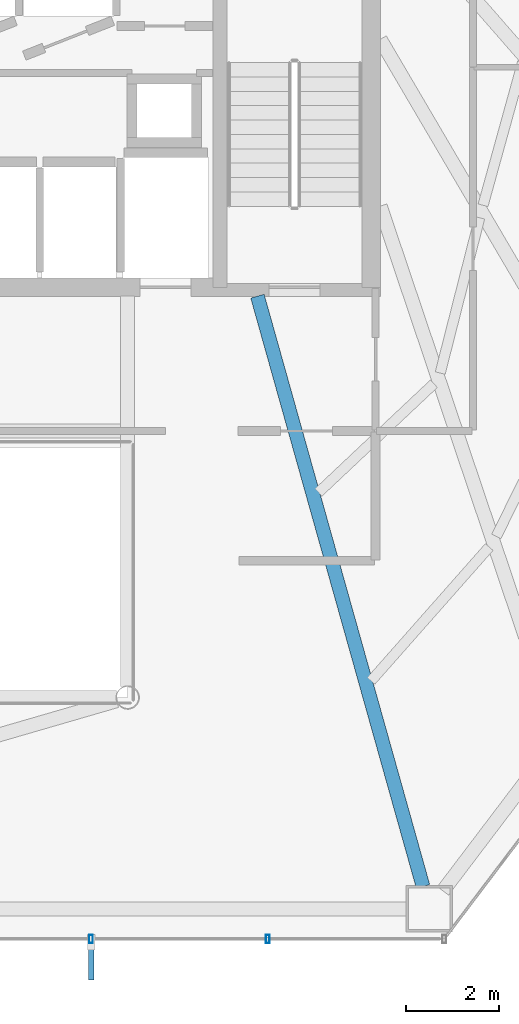
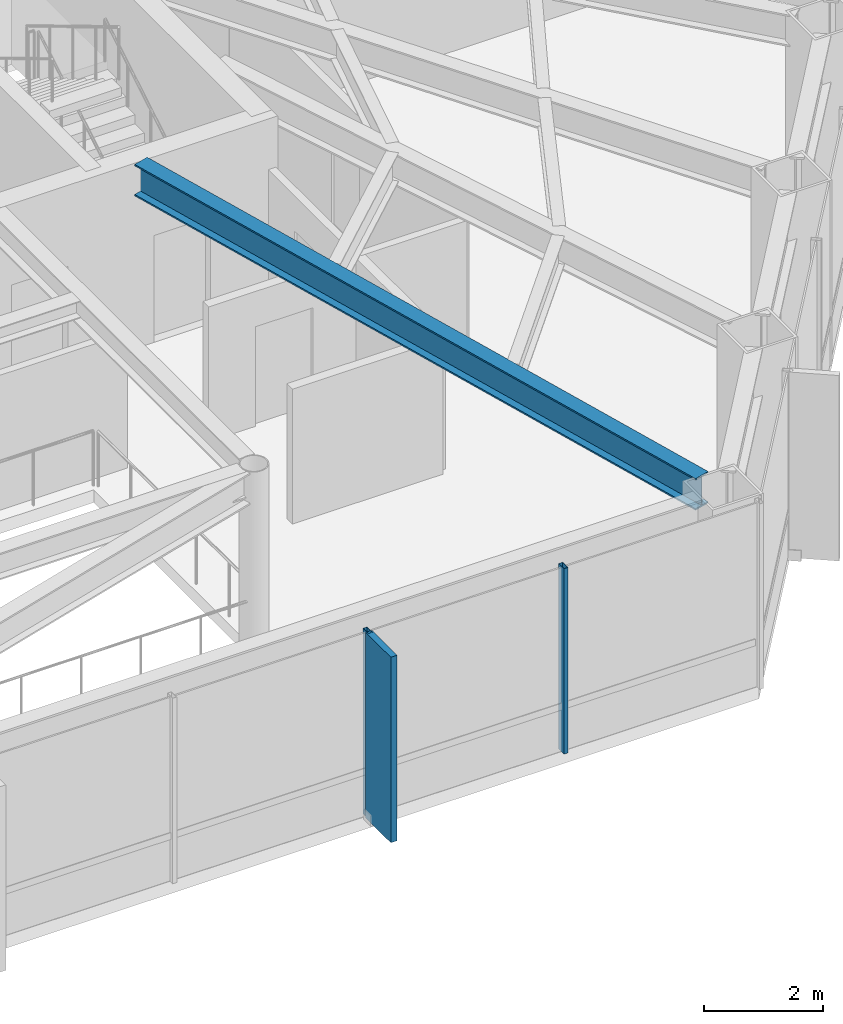
# One storey, part 7 of 26: 3 members, 1 beam, 1 element without a shape of its own.
"""IFC4 building model written with IfcOpenShell, lengths in metres."""

from ifc_helpers import new_model, si_unit, direction, frame, origin, origin_2d, place, context, subcontext, project, spatial, rectangle, hollow_rectangle, i_section, extrude, material, layer, layer_set, material_profile, profile_set, type_object, element, aggregate, save


model = new_model("IFC4")

# Units and contexts
model_context = context("Model", 3, precision=1e-05, world=origin(), true_north=direction((0.0, 1.0)))
body_context = subcontext(model_context, "Body", "Model", "MODEL_VIEW")
ifc_project = project(units=[si_unit("LENGTHUNIT", "METRE"), si_unit("AREAUNIT", "SQUARE_METRE"), si_unit("VOLUMEUNIT", "CUBIC_METRE"), si_unit("PLANEANGLEUNIT", "RADIAN"), si_unit("MASSUNIT", "GRAM", prefix="KILO")], contexts=[model_context])

# Site, building, storey
site_placement = place(None, origin())
site = spatial("IfcSite", under=ifc_project, at=site_placement, CompositionType="ELEMENT")
building_placement = place(site_placement, origin())
building = spatial("IfcBuilding", under=site, at=building_placement, Name="Zarrinselat Tower", CompositionType="ELEMENT")
storey_placement = place(building_placement, frame((0.0, 0.0, 27.5400390625)))
storey = spatial("IfcBuildingStorey", under=building, at=storey_placement, Name="L06", CompositionType="ELEMENT", Elevation=27.5400390625)

# Beam
ifc_material_1 = material(Name="Steel S355J2", Category="steel")
ifc_material_profile_1 = material_profile(ifc_material_1, i_section(OverallWidth=0.300048828125, OverallDepth=0.64990234375, WebThickness=0.01611328125, FlangeThickness=0.031005859375, at=origin_2d()), Name="HEB 650")
ifc_profile_set_1 = profile_set([ifc_material_profile_1], Name="Steel S355J2")
beam_type = type_object("IfcBeamType", Name="BM-HEB650", PredefinedType="BEAM", material=ifc_profile_set_1)
beam_placement = place(storey_placement, frame((45.800048828125, 33.06005859375, 3.494873046875), z_axis=(0.270091305161, -0.962834714204, 0.0), x_axis=(0.962834714204, 0.270091305161, 0.0)))
element("IfcBeam", 1, at=beam_placement, inside=storey, type_object=beam_type, Name="L06 Radial Primary Girder RG11", PredefinedType="BEAM", context=body_context, shape_type="SweptSolid", body=[
    extrude(i_section(OverallWidth=0.300048828125, OverallDepth=0.64990234375, WebThickness=0.01611328125, FlangeThickness=0.031005859375, at=origin_2d()), origin(), (0.0, 0.0, 1.0), 13.22802734375),
])

# Curtain wall, members
ifc_material_2 = material(Name="Extruded Aluminium Alloy EN AW-6063 T6", Category="aluminium")
ifc_layer = layer(ifc_material_2, 0.18505859375)
ifc_layer_set = layer_set([ifc_layer], Name="Extruded Aluminium Alloy EN AW-6063 T6")
curtain_wall_type = type_object("IfcCurtainWallType", Name="CWS-OFF", PredefinedType="NOTDEFINED", material=ifc_layer_set)
curtain_wall_placement = place(storey_placement, origin())
curtain_wall = element("IfcCurtainWall", 2, at=curtain_wall_placement, inside=storey, type_object=curtain_wall_type, Name="L06 Unitised Curtain Wall CW-L06-E04", PredefinedType="NOTDEFINED")
ifc_material_3 = material(Name="Extruded Aluminium Alloy EN AW-6063 T6", Category="aluminium")
ifc_material_profile_2 = material_profile(ifc_material_3, hollow_rectangle(XDim=0.080078125, YDim=0.179931640625, WallThickness=0.0048828125, at=origin_2d()), Name="RHS 180x80x5")
ifc_profile_set_2 = profile_set([ifc_material_profile_2], Name="Extruded Aluminium Alloy EN AW-6063 T6")
member_type_1 = type_object("IfcMemberType", Name="MEM-CW-MUL", PredefinedType="MULLION", material=ifc_profile_set_2)
member_1_placement = place(storey_placement, frame((42.21044921875, 19.1904296875, 0.0), z_axis=(0.0, 0.0, 1.0), x_axis=(1.0, 0.0, 0.0)))
member_1 = element("IfcMember", 3, at=member_1_placement, type_object=member_type_1, Name="CW-L06-E04 Mullion 5", PredefinedType="MULLION", context=body_context, shape_type="SweptSolid", body=[
    extrude(hollow_rectangle(XDim=0.080078125, YDim=0.179931640625, WallThickness=0.0048828125, at=origin_2d()), origin(), (0.0, 0.0, 1.0), 3.820068359375),
])
member_2_placement = place(storey_placement, frame((46.02099609375, 19.1904296875, 0.0), z_axis=(0.0, 0.0, 1.0), x_axis=(1.0, 0.0, 0.0)))
member_2 = element("IfcMember", 4, at=member_2_placement, type_object=member_type_1, Name="CW-L06-E04 Mullion 6", PredefinedType="MULLION", context=body_context, shape_type="SweptSolid", body=[
    extrude(hollow_rectangle(XDim=0.080078125, YDim=0.179931640625, WallThickness=0.0048828125, at=origin_2d()), origin(), (0.0, 0.0, 1.0), 3.820068359375),
])
ifc_material_4 = material(Name="Honed Cream Travertine Stone", Category="masonry")
ifc_material_profile_3 = material_profile(ifc_material_4, rectangle(XDim=0.1201171875, YDim=0.85009765625, at=origin_2d()), Name="FIN 850x120")
ifc_profile_set_3 = profile_set([ifc_material_profile_3], Name="Honed Cream Travertine Stone")
member_type_2 = type_object("IfcMemberType", Name="MEM-STONE-FIN", PredefinedType="USERDEFINED", material=ifc_profile_set_3)
member_3_placement = place(storey_placement, frame((42.21044921875, 18.73046875, 0.0), z_axis=(0.0, 0.0, 1.0), x_axis=(-1.0, 0.0, 0.0)))
member_3 = element("IfcMember", 5, at=member_3_placement, type_object=member_type_2, Name="L06 Stone Shading Fin CW-L06-E04-05", ObjectType="FIN", PredefinedType="USERDEFINED", context=body_context, shape_type="SweptSolid", body=[
    extrude(rectangle(XDim=0.1201171875, YDim=0.85009765625, at=origin_2d()), origin(), (0.0, 0.0, 1.0), 3.820068359375),
])
aggregate(curtain_wall, [member_1, member_3, member_2])

save(model, "model.ifc")
